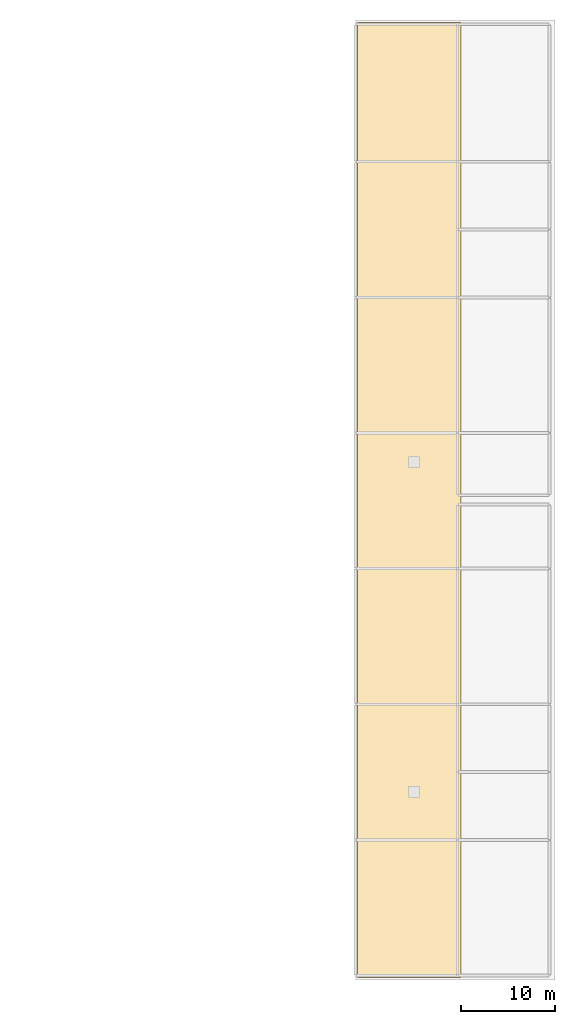
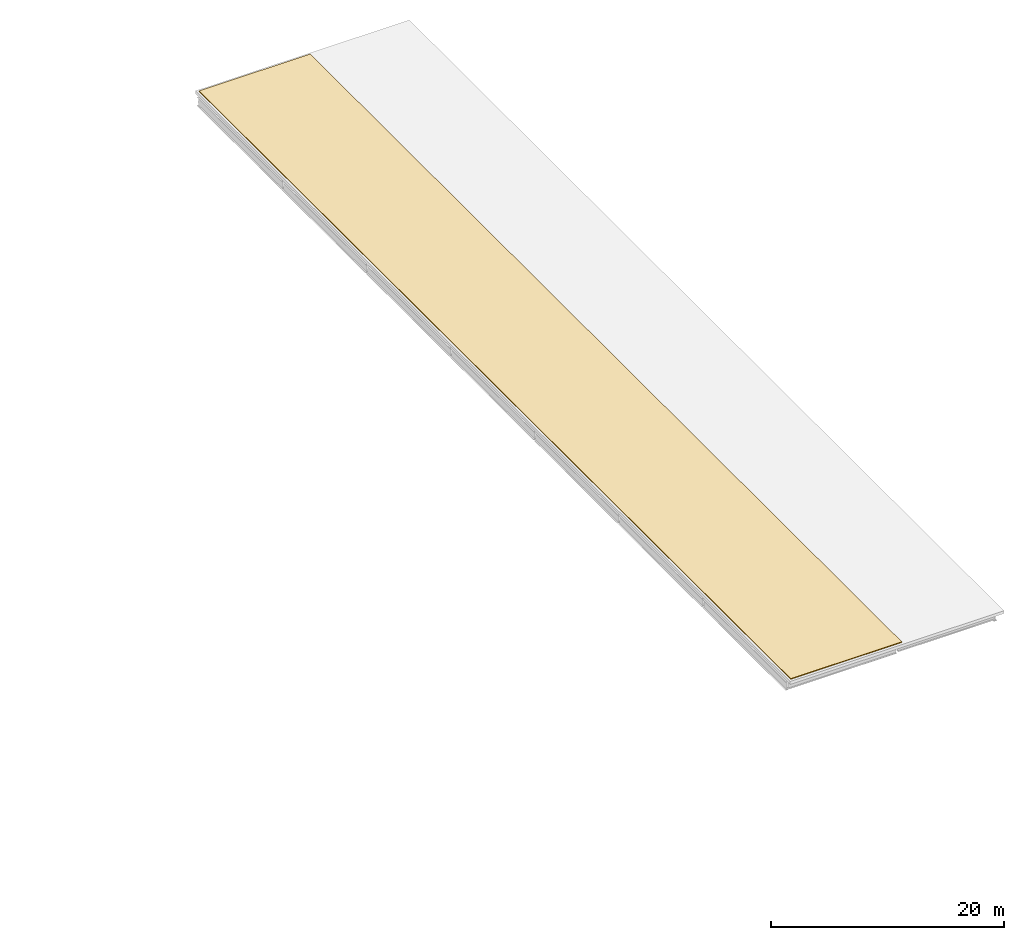
# One storey, part 19 of 19: 1 covering.
"""IFC4 building model written with IfcOpenShell, lengths in metres."""

from ifc_helpers import new_model, si_unit, direction, frame, origin, place, context, subcontext, project, spatial, polyline, outline, extrude, material, layer, layer_set, type_object, element, save


model = new_model("IFC4")

# Units and contexts
model_context = context("Model", 3, precision=1e-05, world=origin(), true_north=direction((0.0, 1.0)))
body_context = subcontext(model_context, "Body", "Model", "MODEL_VIEW")
ifc_project = project(units=[si_unit("LENGTHUNIT", "METRE"), si_unit("AREAUNIT", "SQUARE_METRE"), si_unit("VOLUMEUNIT", "CUBIC_METRE"), si_unit("PLANEANGLEUNIT", "RADIAN"), si_unit("MASSUNIT", "GRAM", prefix="KILO")], contexts=[model_context])

# Site, building, storey
site_placement = place(None, origin())
site = spatial("IfcSite", under=ifc_project, at=site_placement, CompositionType="ELEMENT")
building_placement = place(site_placement, origin())
building = spatial("IfcBuilding", under=site, at=building_placement, Name="Koshinbarg Plaza Stadium", CompositionType="ELEMENT")
storey_placement = place(building_placement, frame((0.0, 0.0, 29.39990234375)))
storey = spatial("IfcBuildingStorey", under=building, at=storey_placement, Name="L06", CompositionType="ELEMENT", Elevation=29.39990234375)

# Covering
ifc_material = material(Name="EPDM waterproofing membrane and rigid mineral-wool roof insulation")
ifc_layer = layer(ifc_material, 0.080078125)
ifc_layer_set = layer_set([ifc_layer], Name="EPDM waterproofing membrane and rigid mineral-wool roof insulation")
covering_type = type_object("IfcCoveringType", Name="COV-ROOFING-01", PredefinedType="ROOFING", material=ifc_layer_set)
covering_placement = place(storey_placement, origin())
element("IfcCovering", 1, at=covering_placement, inside=storey, type_object=covering_type, Name="L06 insulated membrane roofing RFG-V2-T", PredefinedType="ROOFING", context=body_context, shape_type="SweptSolid", body=[
    extrude(outline(polyline([(198.0, 25.300048828125), (209.0, 25.300048828125), (209.0, 126.699951171875), (198.0, 126.699951171875), (198.0, 25.300048828125)])), origin(), (0.0, 0.0, 1.0), 0.080078125),
])

save(model, "model.ifc")
